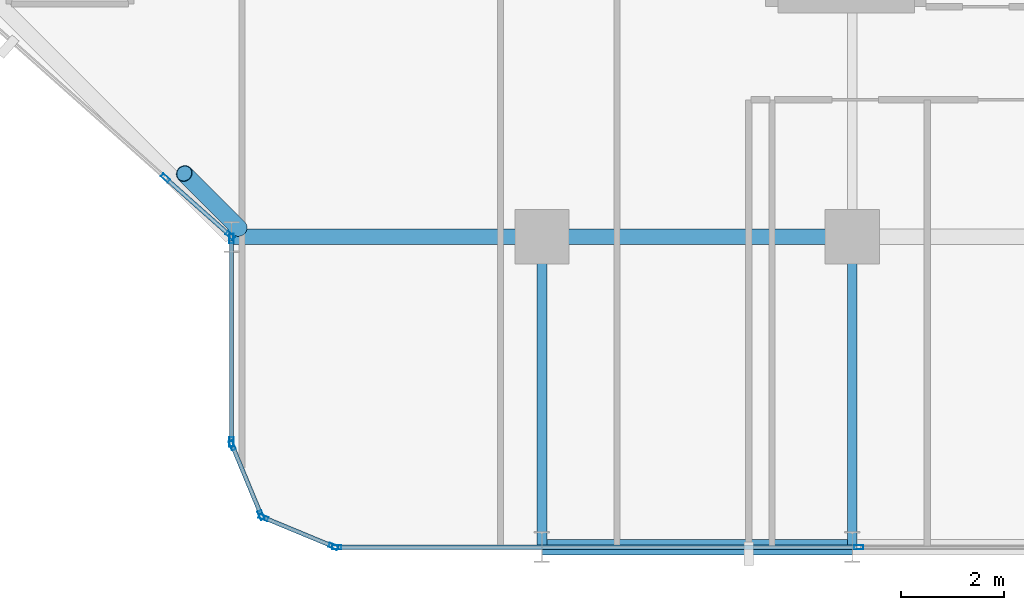
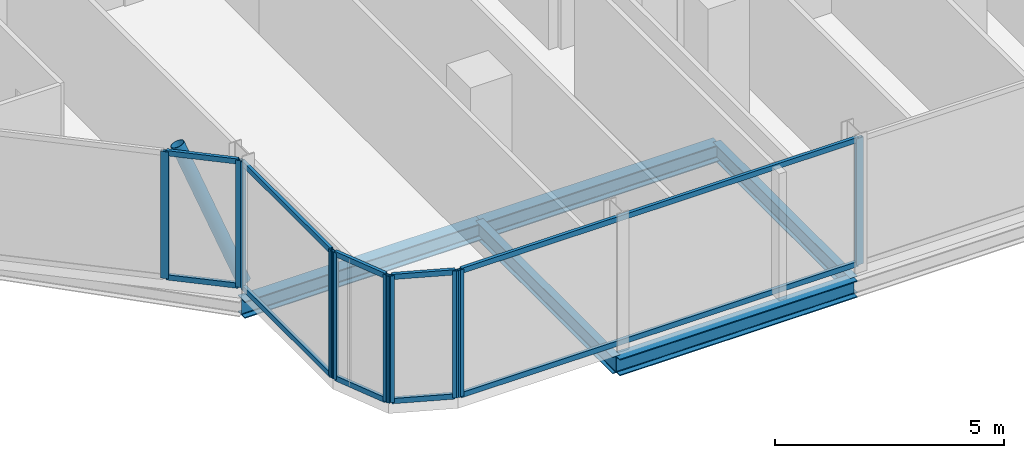
# One storey, part 4 of 30: 21 members, 5 beams, 5 elements without a shape of their own.
"""IFC4 building model written with IfcOpenShell, lengths in metres."""

from ifc_helpers import new_model, si_unit, direction, frame, origin, origin_2d, place, context, subcontext, project, spatial, hollow_rectangle, hollow_circle, i_section, extrude, material, layer, layer_set, material_profile, profile_set, type_object, element, aggregate, save


model = new_model("IFC4")

# Units and contexts
model_context = context("Model", 3, precision=1e-05, world=origin(), true_north=direction((0.0, 1.0)))
body_context = subcontext(model_context, "Body", "Model", "MODEL_VIEW")
ifc_project = project(units=[si_unit("LENGTHUNIT", "METRE"), si_unit("AREAUNIT", "SQUARE_METRE"), si_unit("VOLUMEUNIT", "CUBIC_METRE"), si_unit("PLANEANGLEUNIT", "RADIAN"), si_unit("MASSUNIT", "GRAM", prefix="KILO")], contexts=[model_context])

# Site, building, storey
site_placement = place(None, origin())
site = spatial("IfcSite", under=ifc_project, at=site_placement, CompositionType="ELEMENT")
building_placement = place(site_placement, origin())
building = spatial("IfcBuilding", under=site, at=building_placement, Name="Keshet Zoharim Tower", CompositionType="ELEMENT")
storey_placement = place(building_placement, frame((0.0, 0.0, 109.39990234375)))
storey = spatial("IfcBuildingStorey", under=building, at=storey_placement, Name="L26", CompositionType="ELEMENT", Elevation=109.39990234375)

# Beams
ifc_material_1 = material(Name="Steel S355", Category="steel")
ifc_material_profile_1 = material_profile(ifc_material_1, i_section(OverallWidth=0.18994140625, OverallDepth=0.449951171875, WebThickness=0.009521484375, FlangeThickness=0.0146484375, FilletRadius=0.02099609375, at=origin_2d()), Name="IPE450")
ifc_profile_set_1 = profile_set([ifc_material_profile_1], Name="Steel S355")
beam_type_1 = type_object("IfcBeamType", Name="BM-PRI-IP450", PredefinedType="BEAM", material=ifc_profile_set_1)
for number, where, z_axis, x_axis, name in (
    (1, (27.0, 0.699951171875, -0.539794921875), (0.0, 1.0, 0.0), (-1.0, 0.0, 0.0), "L26 Primary Girder Y-004"),
    (2, (33.0, 0.699951171875, -0.539794921875), (0.0, 1.0, 0.0), (-1.0, 0.0, 0.0), "L26 Primary Girder Y-005"),
):
    element("IfcBeam", number, at=place(storey_placement, frame(where, z_axis=z_axis, x_axis=x_axis)), inside=storey, type_object=beam_type_1, Name=name, PredefinedType="BEAM", context=body_context, shape_type="SweptSolid", body=[
        extrude(i_section(OverallWidth=0.18994140625, OverallDepth=0.449951171875, WebThickness=0.009521484375, FlangeThickness=0.0146484375, FilletRadius=0.02099609375, at=origin_2d()), origin(), (0.0, 0.0, 1.0), 6.0),
    ])
ifc_material_profile_2 = material_profile(ifc_material_1, i_section(OverallWidth=0.300048828125, OverallDepth=0.449951171875, WebThickness=0.013916015625, FlangeThickness=0.02587890625, FilletRadius=0.027099609375, at=origin_2d()), Name="HEB450")
ifc_profile_set_2 = profile_set([ifc_material_profile_2], Name="Steel S355")
beam_type_2 = type_object("IfcBeamType", Name="BM-WEB-HB450", PredefinedType="BEAM", material=ifc_profile_set_2)
for number, where, z_axis, x_axis, name in (
    (3, (27.0, 0.699951171875, -0.539794921875), (1.0, 0.0, 0.0), (0.0, 1.0, 0.0), "L26 Primary Girder X-001"),
    (4, (21.0, 6.699951171875, -0.539794921875), (1.0, 0.0, 0.0), (0.0, 1.0, 0.0), "L26 Primary Girder X-005"),
    (5, (27.0, 6.699951171875, -0.539794921875), (1.0, 0.0, 0.0), (0.0, 1.0, 0.0), "L26 Primary Girder X-006"),
):
    element("IfcBeam", number, at=place(storey_placement, frame(where, z_axis=z_axis, x_axis=x_axis)), inside=storey, type_object=beam_type_2, Name=name, PredefinedType="BEAM", context=body_context, shape_type="SweptSolid", body=[
        extrude(i_section(OverallWidth=0.300048828125, OverallDepth=0.449951171875, WebThickness=0.013916015625, FlangeThickness=0.02587890625, FilletRadius=0.027099609375, at=origin_2d()), origin(), (0.0, 0.0, 1.0), 6.0),
    ])

# Curtain wall, members
ifc_material_2 = material(Name="Aluminium 6063-T6", Category="aluminium")
ifc_layer = layer(ifc_material_2, 0.159912109375)
ifc_layer_set = layer_set([ifc_layer], Name="Aluminium 6063-T6")
curtain_wall_type = type_object("IfcCurtainWallType", Name="CW-SYS-03", PredefinedType="NOTDEFINED", material=ifc_layer_set)
curtain_wall_1_placement = place(storey_placement, origin())
curtain_wall_1 = element("IfcCurtainWall", 6, at=curtain_wall_1_placement, inside=storey, type_object=curtain_wall_type, Name="L26 Unitised Curtain Wall 03 Part 3", PredefinedType="NOTDEFINED")
ifc_material_profile_3 = material_profile(ifc_material_2, hollow_rectangle(XDim=0.080078125, YDim=0.179931640625, WallThickness=0.00439453125, at=origin_2d()), Name="MUL-80x180")
ifc_profile_set_3 = profile_set([ifc_material_profile_3], Name="Aluminium 6063-T6")
member_type_1 = type_object("IfcMemberType", Name="CWM-M18", PredefinedType="MULLION", material=ifc_profile_set_3)
member_1_placement = place(storey_placement, frame((33.1259765625, 0.699951171875, 0.0), z_axis=(0.0, 0.0, 1.0), x_axis=(0.0, -1.0, 0.0)))
member_1 = element("IfcMember", 7, at=member_1_placement, type_object=member_type_1, Name="CW-03 mullion 2", PredefinedType="MULLION", context=body_context, shape_type="SweptSolid", body=[
    extrude(hollow_rectangle(XDim=0.080078125, YDim=0.179931640625, WallThickness=0.00439453125, at=origin_2d()), origin(), (0.0, 0.0, 1.0), 3.385009765625),
])
member_2_placement = place(storey_placement, frame((23.034912109375, 0.699951171875, 0.0), z_axis=(0.0, 0.0, 1.0), x_axis=(0.0, -1.0, 0.0)))
member_2 = element("IfcMember", 8, at=member_2_placement, type_object=member_type_1, Name="CW-03 mullion 3", PredefinedType="MULLION", context=body_context, shape_type="SweptSolid", body=[
    extrude(hollow_rectangle(XDim=0.080078125, YDim=0.179931640625, WallThickness=0.00439453125, at=origin_2d()), origin(), (0.0, 0.0, 1.0), 3.385009765625),
])

curtain_wall_2_placement = place(storey_placement, origin())
curtain_wall_2 = element("IfcCurtainWall", 9, at=curtain_wall_2_placement, inside=storey, type_object=curtain_wall_type, Name="L26 Unitised Curtain Wall 04", PredefinedType="NOTDEFINED")
member_3_placement = place(storey_placement, frame((22.9677734375, 0.71337890625, 0.0), z_axis=(0.0, 0.0, 1.0), x_axis=(-0.382851849847, -0.92380975372, 0.0)))
member_3 = element("IfcMember", 10, at=member_3_placement, type_object=member_type_1, Name="CW-03 mullion 1", PredefinedType="MULLION", context=body_context, shape_type="SweptSolid", body=[
    extrude(hollow_rectangle(XDim=0.080078125, YDim=0.179931640625, WallThickness=0.00439453125, at=origin_2d()), origin(), (0.0, 0.0, 1.0), 3.385009765625),
])
member_4_placement = place(storey_placement, frame((21.618408203125, 1.272705078125, 0.0), z_axis=(0.0, 0.0, 1.0), x_axis=(-0.382851849847, -0.92380975372, 0.0)))
member_4 = element("IfcMember", 11, at=member_4_placement, type_object=member_type_1, Name="CW-03 mullion 2", PredefinedType="MULLION", context=body_context, shape_type="SweptSolid", body=[
    extrude(hollow_rectangle(XDim=0.080078125, YDim=0.179931640625, WallThickness=0.00439453125, at=origin_2d()), origin(), (0.0, 0.0, 1.0), 3.385009765625),
])

curtain_wall_3_placement = place(storey_placement, origin())
curtain_wall_3 = element("IfcCurtainWall", 12, at=curtain_wall_3_placement, inside=storey, type_object=curtain_wall_type, Name="L26 Unitised Curtain Wall 05", PredefinedType="NOTDEFINED")
member_5_placement = place(storey_placement, frame((21.572509765625, 1.318359375, 0.0), z_axis=(0.0, 0.0, 1.0), x_axis=(-0.92380975372, -0.382851849847, 0.0)))
member_5 = element("IfcMember", 13, at=member_5_placement, type_object=member_type_1, Name="CW-03 mullion 1", PredefinedType="MULLION", context=body_context, shape_type="SweptSolid", body=[
    extrude(hollow_rectangle(XDim=0.080078125, YDim=0.179931640625, WallThickness=0.00439453125, at=origin_2d()), origin(), (0.0, 0.0, 1.0), 3.385009765625),
])
member_6_placement = place(storey_placement, frame((21.013427734375, 2.667724609375, 0.0), z_axis=(0.0, 0.0, 1.0), x_axis=(-0.92380975372, -0.382851849847, 0.0)))
member_6 = element("IfcMember", 14, at=member_6_placement, type_object=member_type_1, Name="CW-03 mullion 2", PredefinedType="MULLION", context=body_context, shape_type="SweptSolid", body=[
    extrude(hollow_rectangle(XDim=0.080078125, YDim=0.179931640625, WallThickness=0.00439453125, at=origin_2d()), origin(), (0.0, 0.0, 1.0), 3.385009765625),
])

curtain_wall_4_placement = place(storey_placement, origin())
curtain_wall_4 = element("IfcCurtainWall", 15, at=curtain_wall_4_placement, inside=storey, type_object=curtain_wall_type, Name="L26 Unitised Curtain Wall 06", PredefinedType="NOTDEFINED")
member_7_placement = place(storey_placement, frame((21.0, 2.735107421875, 0.0), z_axis=(0.0, 0.0, 1.0), x_axis=(-1.0, 0.0, 0.0)))
member_7 = element("IfcMember", 16, at=member_7_placement, type_object=member_type_1, Name="CW-03 mullion 1", PredefinedType="MULLION", context=body_context, shape_type="SweptSolid", body=[
    extrude(hollow_rectangle(XDim=0.080078125, YDim=0.179931640625, WallThickness=0.00439453125, at=origin_2d()), origin(), (0.0, 0.0, 1.0), 3.385009765625),
])
member_8_placement = place(storey_placement, frame((21.0, 6.6650390625, 0.0), z_axis=(0.0, 0.0, 1.0), x_axis=(-1.0, 0.0, 0.0)))
member_8 = element("IfcMember", 17, at=member_8_placement, type_object=member_type_1, Name="CW-03 mullion 2", PredefinedType="MULLION", context=body_context, shape_type="SweptSolid", body=[
    extrude(hollow_rectangle(XDim=0.080078125, YDim=0.179931640625, WallThickness=0.00439453125, at=origin_2d()), origin(), (0.0, 0.0, 1.0), 3.385009765625),
])

curtain_wall_5_placement = place(storey_placement, origin())
curtain_wall_5 = element("IfcCurtainWall", 18, at=curtain_wall_5_placement, inside=storey, type_object=curtain_wall_type, Name="L26 Unitised Curtain Wall 07", PredefinedType="NOTDEFINED")
member_9_placement = place(storey_placement, frame((20.973876953125, 6.72314453125, 0.0), z_axis=(0.0, 0.0, 1.0), x_axis=(-0.664388725561, -0.747387196403, 0.0)))
member_9 = element("IfcMember", 19, at=member_9_placement, type_object=member_type_1, Name="CW-03 mullion 1", PredefinedType="MULLION", context=body_context, shape_type="SweptSolid", body=[
    extrude(hollow_rectangle(XDim=0.080078125, YDim=0.179931640625, WallThickness=0.00439453125, at=origin_2d()), origin(), (0.0, 0.0, 1.0), 3.385009765625),
])
member_10_placement = place(storey_placement, frame((19.721435546875, 7.836669921875, 0.0), z_axis=(0.0, 0.0, 1.0), x_axis=(-0.664388725561, -0.747387196403, 0.0)))
member_10 = element("IfcMember", 20, at=member_10_placement, type_object=member_type_1, Name="CW-03 mullion 2", PredefinedType="MULLION", context=body_context, shape_type="SweptSolid", body=[
    extrude(hollow_rectangle(XDim=0.080078125, YDim=0.179931640625, WallThickness=0.00439453125, at=origin_2d()), origin(), (0.0, 0.0, 1.0), 3.385009765625),
])

# Member
ifc_material_profile_4 = material_profile(ifc_material_2, hollow_rectangle(XDim=0.080078125, YDim=0.139892578125, WallThickness=0.00390625, at=origin_2d()), Name="TRN-80x140")
ifc_profile_set_4 = profile_set([ifc_material_profile_4], Name="Aluminium 6063-T6")
member_type_2 = type_object("IfcMemberType", Name="CWT-T14", PredefinedType="USERDEFINED", material=ifc_profile_set_4)
member_11_placement = place(storey_placement, frame((33.091064453125, 0.699951171875, 0.03515625), z_axis=(-1.0, 0.0, 0.0), x_axis=(0.0, -1.0, 0.0)))
member_11 = element("IfcMember", 21, at=member_11_placement, type_object=member_type_2, Name="CW-03 transom 2.1", ObjectType="TRANSOM", PredefinedType="USERDEFINED", context=body_context, shape_type="SweptSolid", body=[
    extrude(hollow_rectangle(XDim=0.080078125, YDim=0.139892578125, WallThickness=0.00390625, at=origin_2d()), origin(), (0.0, 0.0, 1.0), 10.02099609375),
])

member_12_placement = place(storey_placement, frame((33.091064453125, 0.699951171875, 3.35009765625), z_axis=(-1.0, 0.0, 0.0), x_axis=(0.0, -1.0, 0.0)))
member_12 = element("IfcMember", 22, at=member_12_placement, type_object=member_type_2, Name="CW-03 transom 2.2", ObjectType="TRANSOM", PredefinedType="USERDEFINED", context=body_context, shape_type="SweptSolid", body=[
    extrude(hollow_rectangle(XDim=0.080078125, YDim=0.139892578125, WallThickness=0.00390625, at=origin_2d()), origin(), (0.0, 0.0, 1.0), 10.02099609375),
])

aggregate(curtain_wall_1, [member_1, member_2, member_11, member_12])

member_13_placement = place(storey_placement, frame((22.935302734375, 0.726806640625, 0.03515625), z_axis=(-0.92379209995, 0.382894445076, 0.0), x_axis=(-0.382894445076, -0.92379209995, 0.0)))
member_13 = element("IfcMember", 23, at=member_13_placement, type_object=member_type_2, Name="CW-03 transom 1.1", ObjectType="TRANSOM", PredefinedType="USERDEFINED", context=body_context, shape_type="SweptSolid", body=[
    extrude(hollow_rectangle(XDim=0.080078125, YDim=0.139892578125, WallThickness=0.00390625, at=origin_2d()), origin(), (0.0, 0.0, 1.0), 1.390625),
])

member_14_placement = place(storey_placement, frame((22.935302734375, 0.726806640625, 3.35009765625), z_axis=(-0.92379209995, 0.382894445076, 0.0), x_axis=(-0.382894445076, -0.92379209995, 0.0)))
member_14 = element("IfcMember", 24, at=member_14_placement, type_object=member_type_2, Name="CW-03 transom 1.2", ObjectType="TRANSOM", PredefinedType="USERDEFINED", context=body_context, shape_type="SweptSolid", body=[
    extrude(hollow_rectangle(XDim=0.080078125, YDim=0.139892578125, WallThickness=0.00390625, at=origin_2d()), origin(), (0.0, 0.0, 1.0), 1.390625),
])

aggregate(curtain_wall_2, [member_3, member_4, member_13, member_14])

member_15_placement = place(storey_placement, frame((21.55908203125, 1.3505859375, 0.03515625), z_axis=(-0.382744609247, 0.923854189844, 0.0), x_axis=(-0.923854189844, -0.382744609247, 0.0)))
member_15 = element("IfcMember", 25, at=member_15_placement, type_object=member_type_2, Name="CW-03 transom 1.1", ObjectType="TRANSOM", PredefinedType="USERDEFINED", context=body_context, shape_type="SweptSolid", body=[
    extrude(hollow_rectangle(XDim=0.080078125, YDim=0.139892578125, WallThickness=0.00390625, at=origin_2d()), origin(), (0.0, 0.0, 1.0), 1.390625),
])

member_16_placement = place(storey_placement, frame((21.55908203125, 1.3505859375, 3.35009765625), z_axis=(-0.382744609247, 0.923854189844, 0.0), x_axis=(-0.923854189844, -0.382744609247, 0.0)))
member_16 = element("IfcMember", 26, at=member_16_placement, type_object=member_type_2, Name="CW-03 transom 1.2", ObjectType="TRANSOM", PredefinedType="USERDEFINED", context=body_context, shape_type="SweptSolid", body=[
    extrude(hollow_rectangle(XDim=0.080078125, YDim=0.139892578125, WallThickness=0.00390625, at=origin_2d()), origin(), (0.0, 0.0, 1.0), 1.390625),
])

aggregate(curtain_wall_3, [member_5, member_6, member_15, member_16])

member_17_placement = place(storey_placement, frame((21.0, 2.77001953125, 0.03515625), z_axis=(0.0, 1.0, 0.0), x_axis=(-1.0, 0.0, 0.0)))
member_17 = element("IfcMember", 27, at=member_17_placement, type_object=member_type_2, Name="CW-03 transom 1.1", ObjectType="TRANSOM", PredefinedType="USERDEFINED", context=body_context, shape_type="SweptSolid", body=[
    extrude(hollow_rectangle(XDim=0.080078125, YDim=0.139892578125, WallThickness=0.00390625, at=origin_2d()), origin(), (0.0, 0.0, 1.0), 3.85986328125),
])

member_18_placement = place(storey_placement, frame((21.0, 2.77001953125, 3.35009765625), z_axis=(0.0, 1.0, 0.0), x_axis=(-1.0, 0.0, 0.0)))
member_18 = element("IfcMember", 28, at=member_18_placement, type_object=member_type_2, Name="CW-03 transom 1.2", ObjectType="TRANSOM", PredefinedType="USERDEFINED", context=body_context, shape_type="SweptSolid", body=[
    extrude(hollow_rectangle(XDim=0.080078125, YDim=0.139892578125, WallThickness=0.00390625, at=origin_2d()), origin(), (0.0, 0.0, 1.0), 3.85986328125),
])

aggregate(curtain_wall_4, [member_7, member_8, member_17, member_18])

member_19_placement = place(storey_placement, frame((20.94775390625, 6.74658203125, 0.03515625), z_axis=(-0.747392542428, 0.664382711638, 0.0), x_axis=(-0.664382711638, -0.747392542428, 0.0)))
member_19 = element("IfcMember", 29, at=member_19_placement, type_object=member_type_2, Name="CW-03 transom 1.1", ObjectType="TRANSOM", PredefinedType="USERDEFINED", context=body_context, shape_type="SweptSolid", body=[
    extrude(hollow_rectangle(XDim=0.080078125, YDim=0.139892578125, WallThickness=0.00390625, at=origin_2d()), origin(), (0.0, 0.0, 1.0), 1.60595703125),
])

member_20_placement = place(storey_placement, frame((20.94775390625, 6.74658203125, 3.35009765625), z_axis=(-0.747392542428, 0.664382711638, 0.0), x_axis=(-0.664382711638, -0.747392542428, 0.0)))
member_20 = element("IfcMember", 30, at=member_20_placement, type_object=member_type_2, Name="CW-03 transom 1.2", ObjectType="TRANSOM", PredefinedType="USERDEFINED", context=body_context, shape_type="SweptSolid", body=[
    extrude(hollow_rectangle(XDim=0.080078125, YDim=0.139892578125, WallThickness=0.00390625, at=origin_2d()), origin(), (0.0, 0.0, 1.0), 1.60595703125),
])

aggregate(curtain_wall_5, [member_9, member_10, member_19, member_20])

ifc_material_profile_5 = material_profile(ifc_material_1, hollow_circle(Radius=0.161865234375, WallThickness=0.012451171875, at=origin_2d()), Name="CHS323x12.5")
ifc_profile_set_5 = profile_set([ifc_material_profile_5], Name="Steel S355")
member_type_3 = type_object("IfcMemberType", Name="MB-BR-C323", PredefinedType="BRACE", material=ifc_profile_set_5)
member_21_placement = place(storey_placement, frame((21.14599609375, 6.864013671875, 0.0), z_axis=(-0.286558246199, 0.286558246199, 0.914203884848), x_axis=(-0.707106781187, -0.707106781187, 0.0)))
element("IfcMember", 31, at=member_21_placement, inside=storey, type_object=member_type_3, Name="L26 Perimeter Tube Brace 01", PredefinedType="BRACE", context=body_context, shape_type="SweptSolid", body=[
    extrude(hollow_circle(Radius=0.161865234375, WallThickness=0.012451171875, at=origin_2d()), origin(), (0.0, 0.0, 1.0), 3.70263671875),
])

save(model, "model.ifc")
